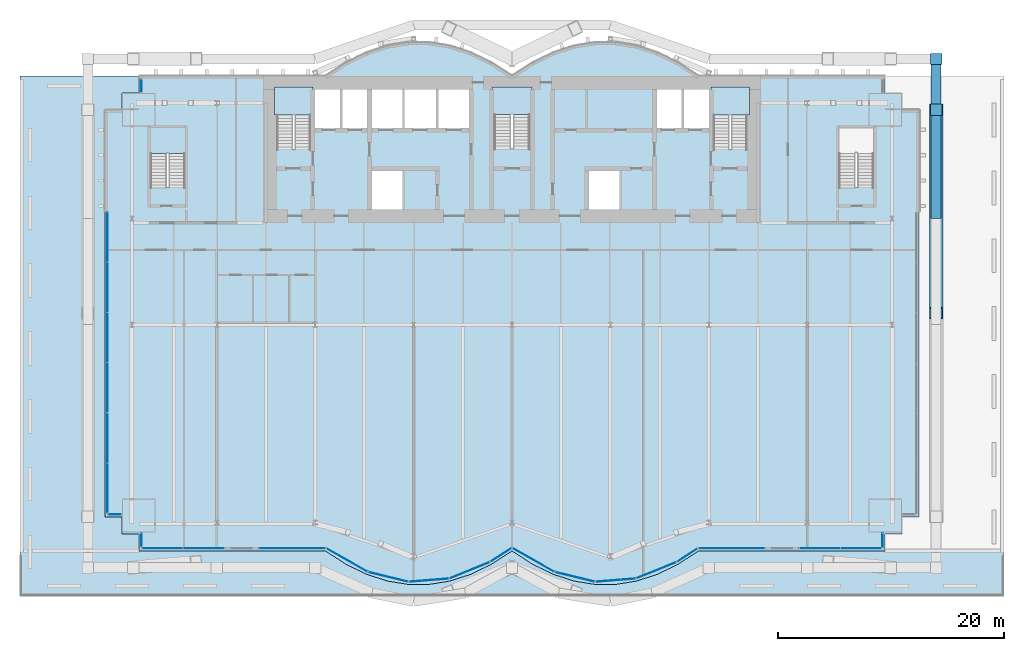
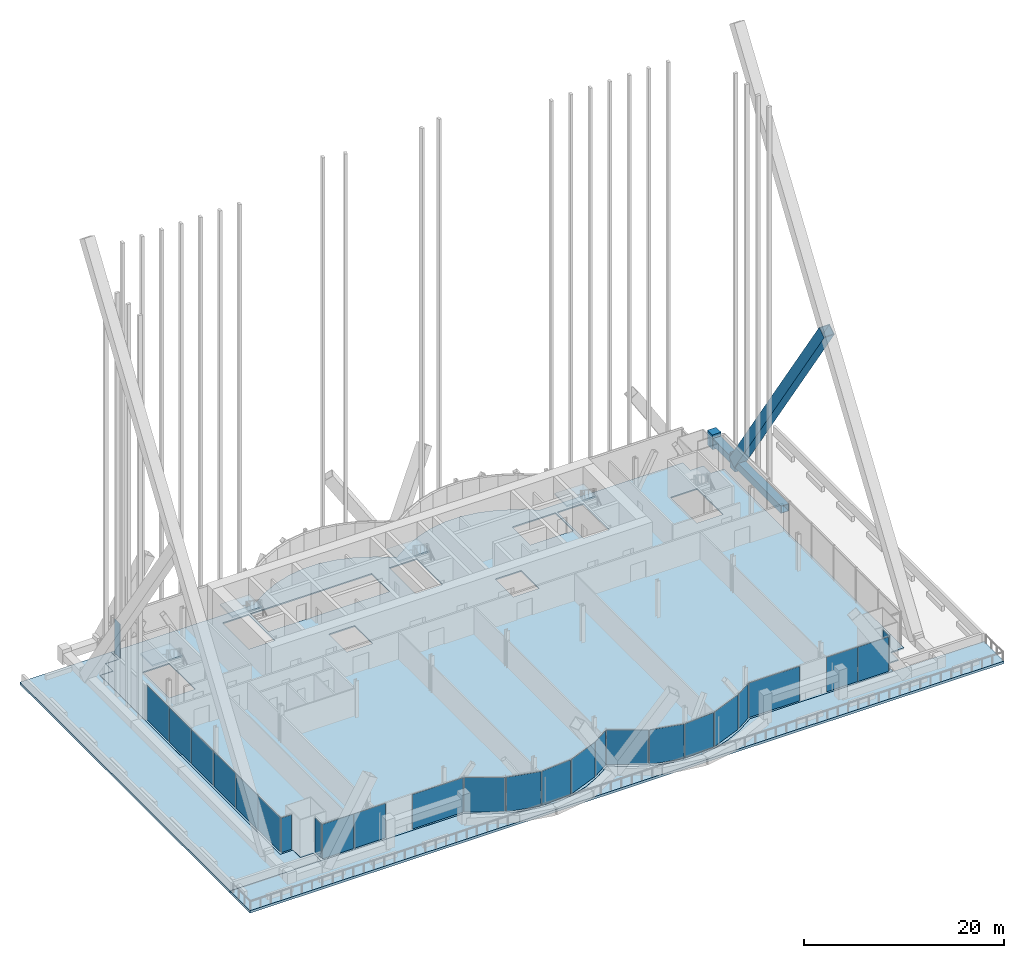
# One storey, part 20 of 29: 26 plates, 7 slabs, 5 members, 15 elements without a shape of their own.
"""IFC4 building model written with IfcOpenShell, lengths in metres."""

from ifc_helpers import new_model, si_unit, direction, frame, origin, origin_2d, place, context, subcontext, project, spatial, polyline, rectangle, hollow_rectangle, outline, extrude, material, layer, layer_set, material_profile, profile_set, type_object, element, aggregate, save


model = new_model("IFC4")

# Units and contexts
model_context = context("Model", 3, precision=1e-05, world=origin(), true_north=direction((0.0, 1.0)))
body_context = subcontext(model_context, "Body", "Model", "MODEL_VIEW")
ifc_project = project(units=[si_unit("LENGTHUNIT", "METRE"), si_unit("AREAUNIT", "SQUARE_METRE"), si_unit("VOLUMEUNIT", "CUBIC_METRE"), si_unit("PLANEANGLEUNIT", "RADIAN"), si_unit("MASSUNIT", "GRAM", prefix="KILO")], contexts=[model_context])

# Site, building, storey
site_placement = place(None, origin())
site = spatial("IfcSite", under=ifc_project, at=site_placement, CompositionType="ELEMENT")
building_placement = place(site_placement, origin())
building = spatial("IfcBuilding", under=site, at=building_placement, Name="Bicima Exchange Tower", CompositionType="ELEMENT")
storey_placement = place(building_placement, frame((0.0, 0.0, 35.0)))
storey = spatial("IfcBuildingStorey", under=building, at=storey_placement, Name="L06", CompositionType="ELEMENT", Elevation=35.0)

# Members
ifc_material_1 = material(Name="Steel ASTM A572 Gr 50", Category="steel")
ifc_material_profile_1 = material_profile(ifc_material_1, hollow_rectangle(XDim=0.89990234375, YDim=0.89990234375, WallThickness=0.050048828125, at=origin_2d()))
ifc_profile_set_1 = profile_set([ifc_material_profile_1], Name="Steel ASTM A572 Gr 50")
member_type_1 = type_object("IfcMemberType", Name="Exo belt ring BOX 900x900x50", PredefinedType="CHORD", material=ifc_profile_set_1)
member_1_placement = place(storey_placement, frame((37.5, -12.60009765625, 0.449951171875), z_axis=(0.0, 1.0, 0.0), x_axis=(-1.0, 0.0, 0.0)))
element("IfcMember", 1, at=member_1_placement, inside=storey, type_object=member_type_1, Name="Exo belt ring", PredefinedType="CHORD", context=body_context, shape_type="SweptSolid", body=[
    extrude(hollow_rectangle(XDim=0.89990234375, YDim=0.89990234375, WallThickness=0.050048828125, at=origin_2d()), origin(), (0.0, 0.0, 1.0), 9.60009765625),
])
member_2_placement = place(storey_placement, frame((37.5, -3.0, 0.449951171875), z_axis=(0.0, 1.0, 0.0), x_axis=(-1.0, 0.0, 0.0)))
element("IfcMember", 2, at=member_2_placement, inside=storey, type_object=member_type_1, Name="Exo belt ring", PredefinedType="CHORD", context=body_context, shape_type="SweptSolid", body=[
    extrude(hollow_rectangle(XDim=0.89990234375, YDim=0.89990234375, WallThickness=0.050048828125, at=origin_2d()), origin(), (0.0, 0.0, 1.0), 4.5),
])
ifc_material_profile_2 = material_profile(ifc_material_1, hollow_rectangle(XDim=1.199951171875, YDim=1.199951171875, WallThickness=0.070068359375, at=origin_2d()))
ifc_profile_set_2 = profile_set([ifc_material_profile_2], Name="Steel ASTM A572 Gr 50")
member_type_2 = type_object("IfcMemberType", Name="Exo mega brace BOX 1200x1200x70", PredefinedType="BRACE", material=ifc_profile_set_2)
member_3_placement = place(storey_placement, frame((37.5, -3.0, 0.449951171875), z_axis=(0.0, -0.557652011783, 0.830074836237), x_axis=(1.0, 0.0, 0.0)))
element("IfcMember", 3, at=member_3_placement, inside=storey, type_object=member_type_2, Name="Exo mega brace end", PredefinedType="BRACE", context=body_context, shape_type="SweptSolid", body=[
    extrude(hollow_rectangle(XDim=1.199951171875, YDim=1.199951171875, WallThickness=0.070068359375, at=origin_2d()), origin(), (0.0, 0.0, 1.0), 32.25634765625),
])
ifc_material_2 = material(Name="Cast steel ASTM A216 Gr WCB", Category="steel")
ifc_material_profile_3 = material_profile(ifc_material_2, rectangle(XDim=1.0, YDim=1.0, at=origin_2d()))
ifc_profile_set_3 = profile_set([ifc_material_profile_3], Name="Cast steel ASTM A216 Gr WCB")
member_type_3 = type_object("IfcMemberType", Name="Exo node block", PredefinedType="POST", material=ifc_profile_set_3)
for number, where, z_axis, x_axis, name in (
    (4, (37.5, -3.0, -0.449951171875), (0.0, 0.0, 1.0), (1.0, 0.0, 0.0), "Exo node block"),
    (5, (37.5, 1.5, -0.449951171875), (0.0, 0.0, 1.0), (1.0, 0.0, 0.0), "Exo node block"),
):
    element("IfcMember", number, at=place(storey_placement, frame(where, z_axis=z_axis, x_axis=x_axis)), inside=storey, type_object=member_type_3, Name=name, PredefinedType="POST", context=body_context, shape_type="SweptSolid", body=[
        extrude(rectangle(XDim=1.0, YDim=1.0, at=origin_2d()), origin(), (0.0, 0.0, 1.0), 1.800048828125),
    ])

# Slab
ifc_material_3 = material(Name="Concrete C40/50", Category="concrete")
ifc_layer_1 = layer(ifc_material_3, 0.14990234375)
ifc_layer_set_1 = layer_set([ifc_layer_1], Name="Concrete C40/50")
slab_type_1 = type_object("IfcSlabType", Name="Composite floor slab 150", PredefinedType="FLOOR", material=ifc_layer_set_1)
slab_1_placement = place(storey_placement, frame((0.0, 0.0, -0.14990234375)))
element("IfcSlab", 6, at=slab_1_placement, inside=storey, type_object=slab_type_1, Name="Floor slab", PredefinedType="FLOOR", context=body_context, shape_type="SweptSolid", body=[
    extrude(outline(polyline([(-36.0, -39.0), (-36.0, -3.0), (-34.5, -3.0), (-34.5, -1.5), (-33.0, -1.5), (-33.0, 0.0), (-16.5, 0.0), (-14.666748046875, 1.185302734375), (-12.833251953125, 2.07421875), (-11.0, 2.666748046875), (-9.166748046875, 2.962890625), (-7.333251953125, 2.962890625), (-5.5, 2.666748046875), (-3.666748046875, 2.07421875), (-1.833251953125, 1.185302734375), (0.0, 0.0), (1.833251953125, 1.185302734375), (3.666748046875, 2.07421875), (5.5, 2.666748046875), (7.333251953125, 2.962890625), (9.166748046875, 2.962890625), (11.0, 2.666748046875), (12.833251953125, 2.07421875), (14.666748046875, 1.185302734375), (16.5, 0.0), (33.0, 0.0), (33.0, -1.5), (34.5, -1.5), (34.5, -3.0), (36.0, -3.0), (36.0, -39.0), (34.5, -39.0), (34.5, -40.5), (33.0, -40.5), (33.0, -42.0), (16.5, -42.0), (14.666748046875, -43.185302734375), (12.833251953125, -44.07421875), (11.0, -44.666748046875), (9.166748046875, -44.962890625), (7.333251953125, -44.962890625), (5.5, -44.666748046875), (3.666748046875, -44.07421875), (1.833251953125, -43.185302734375), (0.0, -42.0), (-1.833251953125, -43.185302734375), (-3.666748046875, -44.07421875), (-5.5, -44.666748046875), (-7.333251953125, -44.962890625), (-9.166748046875, -44.962890625), (-11.0, -44.666748046875), (-12.833251953125, -44.07421875), (-14.666748046875, -43.185302734375), (-16.5, -42.0), (-33.0, -42.0), (-33.0, -40.5), (-34.5, -40.5), (-34.5, -39.0), (-36.0, -39.0)]), holes=[polyline([(-9.60009765625, -11.800048828125), (-9.60009765625, -8.199951171875), (-12.60009765625, -8.199951171875), (-12.60009765625, -11.800048828125), (-9.60009765625, -11.800048828125)]), polyline([(-31.97509765625, -9.824951171875), (-28.925048828125, -9.824951171875), (-28.925048828125, -4.625), (-31.97509765625, -4.625), (-31.97509765625, -9.824951171875)]), polyline([(-20.800048828125, -6.449951171875), (-17.800048828125, -6.449951171875), (-17.800048828125, -1.199951171875), (-20.800048828125, -1.199951171875), (-20.800048828125, -6.449951171875)]), polyline([(-9.60009765625, -1.199951171875), (-12.60009765625, -1.199951171875), (-15.10009765625, -1.199951171875), (-17.60009765625, -1.199951171875), (-17.60009765625, -4.800048828125), (-15.10009765625, -4.800048828125), (-12.60009765625, -4.800048828125), (-9.60009765625, -4.800048828125), (-6.60009765625, -4.800048828125), (-3.60009765625, -4.800048828125), (-3.60009765625, -1.199951171875), (-6.60009765625, -1.199951171875), (-9.60009765625, -1.199951171875)]), polyline([(9.60009765625, -11.800048828125), (9.60009765625, -8.199951171875), (6.60009765625, -8.199951171875), (6.60009765625, -11.800048828125), (9.60009765625, -11.800048828125)]), polyline([(28.925048828125, -9.824951171875), (31.97509765625, -9.824951171875), (31.97509765625, -4.625), (28.925048828125, -4.625), (28.925048828125, -9.824951171875)]), polyline([(17.800048828125, -6.449951171875), (20.800048828125, -6.449951171875), (20.800048828125, -1.199951171875), (17.800048828125, -1.199951171875), (17.800048828125, -6.449951171875)]), polyline([(-1.574951171875, -6.39990234375), (1.574951171875, -6.39990234375), (1.574951171875, -1.199951171875), (-1.574951171875, -1.199951171875), (-1.574951171875, -6.39990234375)]), polyline([(17.60009765625, -4.800048828125), (17.60009765625, -1.199951171875), (15.10009765625, -1.199951171875), (12.60009765625, -1.199951171875), (12.60009765625, -4.800048828125), (15.10009765625, -4.800048828125), (17.60009765625, -4.800048828125)])]), origin(), (0.0, 0.0, 1.0), 0.14990234375),
])

# Curtain wall, plates
ifc_material_4 = material(Name="Anodised bronze aluminium", Category="aluminium")
curtain_wall_type_1 = type_object("IfcCurtainWallType", Name="End face glass wall", PredefinedType="NOTDEFINED", material=ifc_material_4)
curtain_wall_1_placement = place(storey_placement, origin())
curtain_wall_1 = element("IfcCurtainWall", 7, at=curtain_wall_1_placement, inside=storey, type_object=curtain_wall_type_1, Name="End face glass wall L06 run 2", PredefinedType="NOTDEFINED")
ifc_material_5 = material(Name="Bronze tinted glass", Category="glass")
ifc_layer_2 = layer(ifc_material_5, 0.031982421875)
ifc_layer_set_2 = layer_set([ifc_layer_2], Name="Bronze tinted glass")
plate_type_1 = type_object("IfcPlateType", Name="End face glass wall glass panel 32", PredefinedType="CURTAIN_PANEL", material=ifc_layer_set_2)
plate_1_placement = place(storey_placement, frame((-35.77001953125, -14.249267578125, 0.0), z_axis=(0.0, 0.0, 1.0), x_axis=(0.0, -1.0, 0.0)))
plate_1 = element("IfcPlate", 8, at=plate_1_placement, type_object=plate_type_1, Name="End face glass wall panel 1.1", PredefinedType="CURTAIN_PANEL", context=body_context, shape_type="SweptSolid", body=[
    extrude(rectangle(XDim=4.37841796875, YDim=0.031982421875, at=origin_2d()), origin(), (0.0, 0.0, 1.0), 4.2099609375),
])
plate_2_placement = place(storey_placement, frame((-35.77001953125, -18.6875, 0.0), z_axis=(0.0, 0.0, 1.0), x_axis=(0.0, -1.0, 0.0)))
plate_2 = element("IfcPlate", 9, at=plate_2_placement, type_object=plate_type_1, Name="End face glass wall panel 2.1", PredefinedType="CURTAIN_PANEL", context=body_context, shape_type="SweptSolid", body=[
    extrude(rectangle(XDim=4.37841796875, YDim=0.031982421875, at=origin_2d()), origin(), (0.0, 0.0, 1.0), 4.2099609375),
])
plate_3_placement = place(storey_placement, frame((-35.77001953125, -23.125732421875, 0.0), z_axis=(0.0, 0.0, 1.0), x_axis=(0.0, -1.0, 0.0)))
plate_3 = element("IfcPlate", 10, at=plate_3_placement, type_object=plate_type_1, Name="End face glass wall panel 3.1", PredefinedType="CURTAIN_PANEL", context=body_context, shape_type="SweptSolid", body=[
    extrude(rectangle(XDim=4.37841796875, YDim=0.031982421875, at=origin_2d()), origin(), (0.0, 0.0, 1.0), 4.2099609375),
])
plate_4_placement = place(storey_placement, frame((-35.77001953125, -27.564208984375, 0.0), z_axis=(0.0, 0.0, 1.0), x_axis=(0.0, -1.0, 0.0)))
plate_4 = element("IfcPlate", 11, at=plate_4_placement, type_object=plate_type_1, Name="End face glass wall panel 4.1", PredefinedType="CURTAIN_PANEL", context=body_context, shape_type="SweptSolid", body=[
    extrude(rectangle(XDim=4.37841796875, YDim=0.031982421875, at=origin_2d()), origin(), (0.0, 0.0, 1.0), 4.2099609375),
])
plate_5_placement = place(storey_placement, frame((-35.77001953125, -32.00244140625, 0.0), z_axis=(0.0, 0.0, 1.0), x_axis=(0.0, -1.0, 0.0)))
plate_5 = element("IfcPlate", 12, at=plate_5_placement, type_object=plate_type_1, Name="End face glass wall panel 5.1", PredefinedType="CURTAIN_PANEL", context=body_context, shape_type="SweptSolid", body=[
    extrude(rectangle(XDim=4.37841796875, YDim=0.031982421875, at=origin_2d()), origin(), (0.0, 0.0, 1.0), 4.2099609375),
])
ifc_material_6 = material(Name="Bronze anodised aluminium", Category="aluminium")
ifc_layer_3 = layer(ifc_material_6, 0.031982421875)
ifc_layer_set_3 = layer_set([ifc_layer_3], Name="Bronze anodised aluminium")
plate_type_2 = type_object("IfcPlateType", Name="End face glass wall spandrel panel 32", PredefinedType="CURTAIN_PANEL", material=ifc_layer_set_3)
plate_6_placement = place(storey_placement, frame((-35.77001953125, -36.44091796875, 0.0), z_axis=(0.0, 0.0, 1.0), x_axis=(0.0, -1.0, 0.0)))
plate_6 = element("IfcPlate", 13, at=plate_6_placement, type_object=plate_type_2, Name="End face spandrel wall panel 6.1", PredefinedType="CURTAIN_PANEL", context=body_context, shape_type="SweptSolid", body=[
    extrude(rectangle(XDim=4.37841796875, YDim=0.031982421875, at=origin_2d()), origin(), (0.0, 0.0, 1.0), 4.2099609375),
])
aggregate(curtain_wall_1, [plate_1, plate_2, plate_3, plate_4, plate_5, plate_6])

# Curtain wall, plate
curtain_wall_type_2 = type_object("IfcCurtainWallType", Name="Front glass wall", PredefinedType="NOTDEFINED", material=ifc_material_4)
curtain_wall_2_placement = place(storey_placement, origin())
curtain_wall_2 = element("IfcCurtainWall", 14, at=curtain_wall_2_placement, inside=storey, type_object=curtain_wall_type_2, Name="Front glass wall L06 run 1", PredefinedType="NOTDEFINED")
ifc_layer_4 = layer(ifc_material_5, 0.031982421875)
ifc_layer_set_4 = layer_set([ifc_layer_4], Name="Bronze tinted glass")
plate_type_3 = type_object("IfcPlateType", Name="Front glass wall glass panel 32", PredefinedType="CURTAIN_PANEL", material=ifc_layer_set_4)
plate_7_placement = place(storey_placement, frame((-32.77001953125, -0.864990234375, 0.0), z_axis=(0.0, 0.0, 1.0), x_axis=(0.0, -1.0, 0.0)))
plate_7 = element("IfcPlate", 15, at=plate_7_placement, type_object=plate_type_3, Name="Front glass wall panel 1.1", PredefinedType="CURTAIN_PANEL", context=body_context, shape_type="SweptSolid", body=[
    extrude(rectangle(XDim=1.14990234375, YDim=0.031982421875, at=origin_2d()), origin(), (0.0, 0.0, 1.0), 4.2099609375),
])
aggregate(curtain_wall_2, [plate_7])

curtain_wall_3_placement = place(storey_placement, origin())
curtain_wall_3 = element("IfcCurtainWall", 16, at=curtain_wall_3_placement, inside=storey, type_object=curtain_wall_type_2, Name="Front glass wall L06 run 3", PredefinedType="NOTDEFINED")
plate_8_placement = place(storey_placement, frame((-35.135009765625, -38.77001953125, 0.0), z_axis=(0.0, 0.0, 1.0), x_axis=(1.0, 0.0, 0.0)))
plate_8 = element("IfcPlate", 17, at=plate_8_placement, type_object=plate_type_3, Name="Front glass wall panel 1.1", PredefinedType="CURTAIN_PANEL", context=body_context, shape_type="SweptSolid", body=[
    extrude(rectangle(XDim=1.14990234375, YDim=0.031982421875, at=origin_2d()), origin(), (0.0, 0.0, 1.0), 4.2099609375),
])
aggregate(curtain_wall_3, [plate_8])

curtain_wall_4_placement = place(storey_placement, origin())
curtain_wall_4 = element("IfcCurtainWall", 18, at=curtain_wall_4_placement, inside=storey, type_object=curtain_wall_type_2, Name="Front glass wall L06 run 4", PredefinedType="NOTDEFINED")
plate_9_placement = place(storey_placement, frame((-32.77001953125, -41.033935546875, 0.0), z_axis=(0.0, 0.0, 1.0), x_axis=(0.0, -1.0, 0.0)))
plate_9 = element("IfcPlate", 19, at=plate_9_placement, type_object=plate_type_3, Name="Front glass wall panel 1.1", PredefinedType="CURTAIN_PANEL", context=body_context, shape_type="SweptSolid", body=[
    extrude(rectangle(XDim=1.19189453125, YDim=0.031982421875, at=origin_2d()), origin(), (0.0, 0.0, 1.0), 4.2099609375),
])
aggregate(curtain_wall_4, [plate_9])

# Curtain wall, plates
curtain_wall_5_placement = place(storey_placement, origin())
curtain_wall_5 = element("IfcCurtainWall", 20, at=curtain_wall_5_placement, inside=storey, type_object=curtain_wall_type_2, Name="Front glass wall L06 run 6", PredefinedType="NOTDEFINED")
plate_10_placement = place(storey_placement, frame((-14.589599609375, -42.815185546875, 0.0), z_axis=(0.0, 0.0, 1.0), x_axis=(0.869805110681, -0.493395449343, 0.0)))
plate_10 = element("IfcPlate", 21, at=plate_10_placement, type_object=plate_type_3, Name="Front glass wall panel 1.1", PredefinedType="CURTAIN_PANEL", context=body_context, shape_type="SweptSolid", body=[
    extrude(rectangle(XDim=4.1162109375, YDim=0.031982421875, at=origin_2d()), origin(), (0.0, 0.0, 1.0), 4.2099609375),
])
plate_11_placement = place(storey_placement, frame((-10.94775390625, -44.296630859375, 0.0), z_axis=(0.0, 0.0, 1.0), x_axis=(0.971830343553, -0.235681529503, 0.0)))
plate_11 = element("IfcPlate", 22, at=plate_11_placement, type_object=plate_type_3, Name="Front glass wall panel 1.1", PredefinedType="CURTAIN_PANEL", context=body_context, shape_type="SweptSolid", body=[
    extrude(rectangle(XDim=3.583251953125, YDim=0.031982421875, at=origin_2d()), origin(), (0.0, 0.0, 1.0), 4.2099609375),
])
plate_12_placement = place(storey_placement, frame((-7.35107421875, -44.587646484375, 0.0), z_axis=(0.0, 0.0, 1.0), x_axis=(0.99674744821, 0.080588612633, 0.0)))
plate_12 = element("IfcPlate", 23, at=plate_12_placement, type_object=plate_type_3, Name="Front glass wall panel 1.1", PredefinedType="CURTAIN_PANEL", context=body_context, shape_type="SweptSolid", body=[
    extrude(rectangle(XDim=3.486083984375, YDim=0.031982421875, at=origin_2d()), origin(), (0.0, 0.0, 1.0), 4.2099609375),
])

curtain_wall_6_placement = place(storey_placement, origin())
curtain_wall_6 = element("IfcCurtainWall", 24, at=curtain_wall_6_placement, inside=storey, type_object=curtain_wall_type_2, Name="Front glass wall L06 run 11", PredefinedType="NOTDEFINED")
plate_13_placement = place(storey_placement, frame((5.55224609375, -44.296630859375, 0.0), z_axis=(0.0, 0.0, 1.0), x_axis=(0.971830343553, -0.235681529503, 0.0)))
plate_13 = element("IfcPlate", 25, at=plate_13_placement, type_object=plate_type_3, Name="Front glass wall panel 1.1", PredefinedType="CURTAIN_PANEL", context=body_context, shape_type="SweptSolid", body=[
    extrude(rectangle(XDim=3.583251953125, YDim=0.031982421875, at=origin_2d()), origin(), (0.0, 0.0, 1.0), 4.2099609375),
])
plate_14_placement = place(storey_placement, frame((9.14892578125, -44.587646484375, 0.0), z_axis=(0.0, 0.0, 1.0), x_axis=(0.99674744821, 0.080588612633, 0.0)))
plate_14 = element("IfcPlate", 26, at=plate_14_placement, type_object=plate_type_3, Name="Front glass wall panel 1.1", PredefinedType="CURTAIN_PANEL", context=body_context, shape_type="SweptSolid", body=[
    extrude(rectangle(XDim=3.486083984375, YDim=0.031982421875, at=origin_2d()), origin(), (0.0, 0.0, 1.0), 4.2099609375),
])
plate_15_placement = place(storey_placement, frame((12.749755859375, -43.71337890625, 0.0), z_axis=(0.0, 0.0, 1.0), x_axis=(0.92714396679, 0.374705304, 0.0)))
plate_15 = element("IfcPlate", 27, at=plate_15_placement, type_object=plate_type_3, Name="Front glass wall panel 1.1", PredefinedType="CURTAIN_PANEL", context=body_context, shape_type="SweptSolid", body=[
    extrude(rectangle(XDim=3.771240234375, YDim=0.031982421875, at=origin_2d()), origin(), (0.0, 0.0, 1.0), 4.2099609375),
])
plate_16_placement = place(storey_placement, frame((15.492919921875, -42.377197265625, 0.0), z_axis=(0.0, 0.0, 1.0), x_axis=(0.839791413941, 0.542909183079, 0.0)))
plate_16 = element("IfcPlate", 28, at=plate_16_placement, type_object=plate_type_3, Name="Front glass wall panel 1.1", PredefinedType="CURTAIN_PANEL", context=body_context, shape_type="SweptSolid", body=[
    extrude(rectangle(XDim=2.11669921875, YDim=0.031982421875, at=origin_2d()), origin(), (0.0, 0.0, 1.0), 4.2099609375),
])

# Curtain wall, plate
curtain_wall_7_placement = place(storey_placement, origin())
curtain_wall_7 = element("IfcCurtainWall", 29, at=curtain_wall_7_placement, inside=storey, type_object=curtain_wall_type_2, Name="Front glass wall L06 run 17", PredefinedType="NOTDEFINED")
plate_17_placement = place(storey_placement, frame((32.77001953125, -41.073974609375, 0.0), z_axis=(0.0, 0.0, 1.0), x_axis=(0.0, 1.0, 0.0)))
plate_17 = element("IfcPlate", 30, at=plate_17_placement, type_object=plate_type_3, Name="Front glass wall panel 1.1", PredefinedType="CURTAIN_PANEL", context=body_context, shape_type="SweptSolid", body=[
    extrude(rectangle(XDim=1.27197265625, YDim=0.031982421875, at=origin_2d()), origin(), (0.0, 0.0, 1.0), 4.2099609375),
])
aggregate(curtain_wall_7, [plate_17])

curtain_wall_8_placement = place(storey_placement, origin())
curtain_wall_8 = element("IfcCurtainWall", 31, at=curtain_wall_8_placement, inside=storey, type_object=curtain_wall_type_2, Name="Front glass wall L06 run 1.1", PredefinedType="NOTDEFINED")
plate_18_placement = place(storey_placement, frame((-27.257568359375, -41.77001953125, 0.0), z_axis=(0.0, 0.0, 1.0), x_axis=(1.0, 0.0, 0.0)))
plate_18 = element("IfcPlate", 32, at=plate_18_placement, type_object=plate_type_3, Name="Front glass wall panel 2.1", PredefinedType="CURTAIN_PANEL", context=body_context, shape_type="SweptSolid", body=[
    extrude(rectangle(XDim=3.594970703125, YDim=0.031982421875, at=origin_2d()), origin(), (0.0, 0.0, 1.0), 4.2099609375),
])

curtain_wall_9_placement = place(storey_placement, origin())
curtain_wall_9 = element("IfcCurtainWall", 33, at=curtain_wall_9_placement, inside=storey, type_object=curtain_wall_type_2, Name="Front glass wall L06 run 1.2", PredefinedType="NOTDEFINED")
plate_19_placement = place(storey_placement, frame((-19.416015625, -41.77001953125, 0.0), z_axis=(0.0, 0.0, 1.0), x_axis=(1.0, 0.0, 0.0)))
plate_19 = element("IfcPlate", 34, at=plate_19_placement, type_object=plate_type_3, Name="Front glass wall panel 1.1", PredefinedType="CURTAIN_PANEL", context=body_context, shape_type="SweptSolid", body=[
    extrude(rectangle(XDim=5.847900390625, YDim=0.031982421875, at=origin_2d()), origin(), (0.0, 0.0, 1.0), 4.2099609375),
])
aggregate(curtain_wall_9, [plate_19])

curtain_wall_10_placement = place(storey_placement, origin())
curtain_wall_10 = element("IfcCurtainWall", 35, at=curtain_wall_10_placement, inside=storey, type_object=curtain_wall_type_2, Name="Front glass wall L06 run 2.1", PredefinedType="NOTDEFINED")
plate_20_placement = place(storey_placement, frame((19.416015625, -41.77001953125, 0.0), z_axis=(0.0, 0.0, 1.0), x_axis=(1.0, 0.0, 0.0)))
plate_20 = element("IfcPlate", 36, at=plate_20_placement, type_object=plate_type_3, Name="Front glass wall panel 1.1", PredefinedType="CURTAIN_PANEL", context=body_context, shape_type="SweptSolid", body=[
    extrude(rectangle(XDim=5.847900390625, YDim=0.031982421875, at=origin_2d()), origin(), (0.0, 0.0, 1.0), 4.2099609375),
])
aggregate(curtain_wall_10, [plate_20])

curtain_wall_11_placement = place(storey_placement, origin())
curtain_wall_11 = element("IfcCurtainWall", 37, at=curtain_wall_11_placement, inside=storey, type_object=curtain_wall_type_2, Name="Front glass wall L06 run 2.2", PredefinedType="NOTDEFINED")
plate_21_placement = place(storey_placement, frame((27.237548828125, -41.77001953125, 0.0), z_axis=(0.0, 0.0, 1.0), x_axis=(1.0, 0.0, 0.0)))
plate_21 = element("IfcPlate", 38, at=plate_21_placement, type_object=plate_type_3, Name="Front glass wall panel 1.1", PredefinedType="CURTAIN_PANEL", context=body_context, shape_type="SweptSolid", body=[
    extrude(rectangle(XDim=3.554931640625, YDim=0.031982421875, at=origin_2d()), origin(), (0.0, 0.0, 1.0), 4.2099609375),
])

# Plate
ifc_layer_5 = layer(ifc_material_6, 0.031982421875)
ifc_layer_set_5 = layer_set([ifc_layer_5], Name="Bronze anodised aluminium")
plate_type_4 = type_object("IfcPlateType", Name="Front glass wall spandrel panel 32", PredefinedType="CURTAIN_PANEL", material=ifc_layer_set_5)
plate_22_placement = place(storey_placement, frame((-3.750244140625, -43.71337890625, 0.0), z_axis=(0.0, 0.0, 1.0), x_axis=(0.92714396679, 0.374705304, 0.0)))
plate_22 = element("IfcPlate", 39, at=plate_22_placement, type_object=plate_type_4, Name="Front spandrel wall panel 1.1", PredefinedType="CURTAIN_PANEL", context=body_context, shape_type="SweptSolid", body=[
    extrude(rectangle(XDim=3.771240234375, YDim=0.031982421875, at=origin_2d()), origin(), (0.0, 0.0, 1.0), 4.2099609375),
])

plate_23_placement = place(storey_placement, frame((-0.97314453125, -42.355224609375, 0.0), z_axis=(0.0, 0.0, 1.0), x_axis=(0.839798994301, 0.542897457326, 0.0)))
plate_23 = element("IfcPlate", 40, at=plate_23_placement, type_object=plate_type_4, Name="Front spandrel wall panel 1.1", PredefinedType="CURTAIN_PANEL", context=body_context, shape_type="SweptSolid", body=[
    extrude(rectangle(XDim=2.197509765625, YDim=0.031982421875, at=origin_2d()), origin(), (0.0, 0.0, 1.0), 4.2099609375),
])

aggregate(curtain_wall_5, [plate_10, plate_11, plate_12, plate_22, plate_23])

plate_24_placement = place(storey_placement, frame((1.876220703125, -42.793212890625, 0.0), z_axis=(0.0, 0.0, 1.0), x_axis=(0.869274147378, -0.494330311331, 0.0)))
plate_24 = element("IfcPlate", 41, at=plate_24_placement, type_object=plate_type_4, Name="Front spandrel wall panel 1.1", PredefinedType="CURTAIN_PANEL", context=body_context, shape_type="SweptSolid", body=[
    extrude(rectangle(XDim=4.197021484375, YDim=0.031982421875, at=origin_2d()), origin(), (0.0, 0.0, 1.0), 4.2099609375),
])

aggregate(curtain_wall_6, [plate_24, plate_13, plate_14, plate_15, plate_16])

plate_25_placement = place(storey_placement, frame((-30.91259765625, -41.77001953125, 0.0), z_axis=(0.0, 0.0, 1.0), x_axis=(1.0, 0.0, 0.0)))
plate_25 = element("IfcPlate", 42, at=plate_25_placement, type_object=plate_type_4, Name="Front spandrel wall panel 1.1", PredefinedType="CURTAIN_PANEL", context=body_context, shape_type="SweptSolid", body=[
    extrude(rectangle(XDim=3.594970703125, YDim=0.031982421875, at=origin_2d()), origin(), (0.0, 0.0, 1.0), 4.2099609375),
])

aggregate(curtain_wall_8, [plate_25, plate_18])

plate_26_placement = place(storey_placement, frame((30.8525390625, -41.77001953125, 0.0), z_axis=(0.0, 0.0, 1.0), x_axis=(1.0, 0.0, 0.0)))
plate_26 = element("IfcPlate", 43, at=plate_26_placement, type_object=plate_type_4, Name="Front spandrel wall panel 2.1", PredefinedType="CURTAIN_PANEL", context=body_context, shape_type="SweptSolid", body=[
    extrude(rectangle(XDim=3.554931640625, YDim=0.031982421875, at=origin_2d()), origin(), (0.0, 0.0, 1.0), 4.2099609375),
])

aggregate(curtain_wall_11, [plate_21, plate_26])

# Slabs
ifc_layer_6 = layer(ifc_material_3, 0.300048828125)
ifc_layer_set_6 = layer_set([ifc_layer_6], Name="Concrete C40/50")
slab_type_2 = type_object("IfcSlabType", Name="Reinforced concrete podium roof slab 300", PredefinedType="ROOF", material=ifc_layer_set_6)
slab_2_placement = place(storey_placement, frame((0.0, 0.0, -0.300048828125)))
element("IfcSlab", 44, at=slab_2_placement, inside=storey, type_object=slab_type_2, Name="Podium roof slab", PredefinedType="ROOF", context=body_context, shape_type="SweptSolid", body=[
    extrude(outline(polyline([(43.5, -42.0), (33.0029296875, -42.0), (33.0029296875, -42.000244140625), (33.0029296875, -42.00048828125), (33.0029296875, -42.0009765625), (33.002685546875, -42.001220703125), (33.002685546875, -42.00146484375), (33.00244140625, -42.001708984375), (33.002197265625, -42.001953125), (33.002197265625, -42.002197265625), (33.001953125, -42.002197265625), (33.001708984375, -42.00244140625), (33.00146484375, -42.002685546875), (33.001220703125, -42.002685546875), (33.0009765625, -42.0029296875), (33.00048828125, -42.0029296875), (33.000244140625, -42.0029296875), (33.0, -42.0029296875), (16.5009765625, -42.0029296875), (14.668212890625, -43.187744140625), (14.66796875, -43.18798828125), (12.834716796875, -44.076904296875), (12.834228515625, -44.076904296875), (11.0009765625, -44.669677734375), (11.000732421875, -44.669677734375), (11.00048828125, -44.669677734375), (9.167236328125, -44.966064453125), (9.1669921875, -44.966064453125), (9.166748046875, -44.966064453125), (7.333251953125, -44.966064453125), (7.3330078125, -44.966064453125), (7.332763671875, -44.966064453125), (5.49951171875, -44.669677734375), (5.499267578125, -44.669677734375), (5.4990234375, -44.669677734375), (3.665771484375, -44.076904296875), (3.665283203125, -44.076904296875), (1.83203125, -43.18798828125), (1.831787109375, -43.187744140625), (0.0, -42.003662109375), (-1.831787109375, -43.187744140625), (-1.83203125, -43.18798828125), (-3.665283203125, -44.076904296875), (-3.665771484375, -44.076904296875), (-5.4990234375, -44.669677734375), (-5.499267578125, -44.669677734375), (-5.49951171875, -44.669677734375), (-7.332763671875, -44.966064453125), (-7.3330078125, -44.966064453125), (-7.333251953125, -44.966064453125), (-9.166748046875, -44.966064453125), (-9.1669921875, -44.966064453125), (-9.167236328125, -44.966064453125), (-11.00048828125, -44.669677734375), (-11.000732421875, -44.669677734375), (-11.0009765625, -44.669677734375), (-12.834228515625, -44.076904296875), (-12.834716796875, -44.076904296875), (-14.66796875, -43.18798828125), (-14.668212890625, -43.187744140625), (-16.5009765625, -42.0029296875), (-33.0, -42.0029296875), (-33.000244140625, -42.0029296875), (-33.00048828125, -42.0029296875), (-33.0009765625, -42.0029296875), (-33.001220703125, -42.002685546875), (-33.00146484375, -42.002685546875), (-33.001708984375, -42.00244140625), (-33.001953125, -42.002197265625), (-33.002197265625, -42.002197265625), (-33.002197265625, -42.001953125), (-33.00244140625, -42.001708984375), (-33.002685546875, -42.00146484375), (-33.002685546875, -42.001220703125), (-33.0029296875, -42.0009765625), (-33.0029296875, -42.00048828125), (-33.0029296875, -42.000244140625), (-33.0029296875, -42.0), (-43.5, -42.0), (-43.5, -46.0), (43.5, -46.0), (43.5, -42.0)])), origin(), (0.0, 0.0, 1.0), 0.300048828125),
])
slab_3_placement = place(storey_placement, frame((0.0, 0.0, -0.300048828125)))
element("IfcSlab", 45, at=slab_3_placement, inside=storey, type_object=slab_type_2, Name="Planted roof slab", PredefinedType="ROOF", context=body_context, shape_type="SweptSolid", body=[
    extrude(outline(polyline([(-43.5, -42.0), (-33.0029296875, -42.0), (-33.0029296875, -40.5029296875), (-34.5, -40.5029296875), (-34.500244140625, -40.5029296875), (-34.50048828125, -40.5029296875), (-34.5009765625, -40.5029296875), (-34.501220703125, -40.502685546875), (-34.50146484375, -40.502685546875), (-34.501708984375, -40.50244140625), (-34.501953125, -40.502197265625), (-34.502197265625, -40.502197265625), (-34.502197265625, -40.501953125), (-34.50244140625, -40.501708984375), (-34.502685546875, -40.50146484375), (-34.502685546875, -40.501220703125), (-34.5029296875, -40.5009765625), (-34.5029296875, -40.50048828125), (-34.5029296875, -40.500244140625), (-34.5029296875, -40.5), (-34.5029296875, -39.0029296875), (-36.0, -39.0029296875), (-36.000244140625, -39.0029296875), (-36.00048828125, -39.0029296875), (-36.0009765625, -39.0029296875), (-36.001220703125, -39.002685546875), (-36.00146484375, -39.002685546875), (-36.001708984375, -39.00244140625), (-36.001953125, -39.002197265625), (-36.002197265625, -39.002197265625), (-36.002197265625, -39.001953125), (-36.00244140625, -39.001708984375), (-36.002685546875, -39.00146484375), (-36.002685546875, -39.001220703125), (-36.0029296875, -39.0009765625), (-36.0029296875, -39.00048828125), (-36.0029296875, -39.000244140625), (-36.0029296875, -39.0), (-36.0029296875, -3.0), (-36.0029296875, -2.999755859375), (-36.0029296875, -2.99951171875), (-36.0029296875, -2.9990234375), (-36.002685546875, -2.998779296875), (-36.002685546875, -2.99853515625), (-36.00244140625, -2.998291015625), (-36.002197265625, -2.998046875), (-36.002197265625, -2.997802734375), (-36.001953125, -2.997802734375), (-36.001708984375, -2.99755859375), (-36.00146484375, -2.997314453125), (-36.001220703125, -2.997314453125), (-36.0009765625, -2.9970703125), (-36.00048828125, -2.9970703125), (-36.000244140625, -2.9970703125), (-36.0, -2.9970703125), (-34.5029296875, -2.9970703125), (-34.5029296875, -1.5), (-34.5029296875, -1.499755859375), (-34.5029296875, -1.49951171875), (-34.5029296875, -1.4990234375), (-34.502685546875, -1.498779296875), (-34.502685546875, -1.49853515625), (-34.50244140625, -1.498291015625), (-34.502197265625, -1.498046875), (-34.502197265625, -1.497802734375), (-34.501953125, -1.497802734375), (-34.501708984375, -1.49755859375), (-34.50146484375, -1.497314453125), (-34.501220703125, -1.497314453125), (-34.5009765625, -1.4970703125), (-34.50048828125, -1.4970703125), (-34.500244140625, -1.4970703125), (-34.5, -1.4970703125), (-33.0029296875, -1.4970703125), (-33.0029296875, 0.0), (-43.5, 0.0), (-43.5, -42.0)])), origin(), (0.0, 0.0, 1.0), 0.300048828125),
])

# Stair, slab
ifc_material_7 = material(Name="Concrete C50/60", Category="concrete")
stair_type_1 = type_object("IfcStairType", Name="Exit stair", PredefinedType="HALF_TURN_STAIR", material=ifc_material_7)
stair_1_placement = place(storey_placement, origin())
stair_1 = element("IfcStair", 46, at=stair_1_placement, inside=storey, type_object=stair_type_1, Name="L06 West exit stair", PredefinedType="HALF_TURN_STAIR")
ifc_layer_7 = layer(ifc_material_7, 0.199951171875)
ifc_layer_set_7 = layer_set([ifc_layer_7], Name="Concrete C50/60")
slab_type_3 = type_object("IfcSlabType", Name="Stair landing slab", PredefinedType="LANDING", material=ifc_layer_set_7)
slab_4_placement = place(storey_placement, frame((0.0, 0.0, 2.050048828125)))
slab_4 = element("IfcSlab", 47, at=slab_4_placement, type_object=slab_type_3, Name="ST-W landing 1", PredefinedType="LANDING", context=body_context, shape_type="SweptSolid", body=[
    extrude(outline(polyline([(-17.60009765625, -3.469970703125), (-17.60009765625, -1.0), (-21.0, -1.0), (-21.0, -3.469970703125), (-17.60009765625, -3.469970703125)])), origin(), (0.0, 0.0, 1.0), 0.199951171875),
])
aggregate(stair_1, [slab_4])

stair_type_2 = type_object("IfcStairType", Name="Exit stair 1500", PredefinedType="HALF_TURN_STAIR", material=ifc_material_7)
stair_2_placement = place(storey_placement, origin())
stair_2 = element("IfcStair", 48, at=stair_2_placement, inside=storey, type_object=stair_type_2, Name="L06 Central exit stair", PredefinedType="HALF_TURN_STAIR")
slab_5_placement = place(storey_placement, frame((0.0, 0.0, 2.050048828125)))
slab_5 = element("IfcSlab", 49, at=slab_5_placement, type_object=slab_type_3, Name="ST-C landing 1", PredefinedType="LANDING", context=body_context, shape_type="SweptSolid", body=[
    extrude(outline(polyline([(1.77490234375, -3.419921875), (1.77490234375, -1.0), (-1.77490234375, -1.0), (-1.77490234375, -3.419921875), (1.77490234375, -3.419921875)])), origin(), (0.0, 0.0, 1.0), 0.199951171875),
])
aggregate(stair_2, [slab_5])

stair_3_placement = place(storey_placement, origin())
stair_3 = element("IfcStair", 50, at=stair_3_placement, inside=storey, type_object=stair_type_1, Name="L06 East exit stair", PredefinedType="HALF_TURN_STAIR")
slab_6_placement = place(storey_placement, frame((0.0, 0.0, 2.050048828125)))
slab_6 = element("IfcSlab", 51, at=slab_6_placement, type_object=slab_type_3, Name="ST-E landing 1", PredefinedType="LANDING", context=body_context, shape_type="SweptSolid", body=[
    extrude(outline(polyline([(21.0, -3.469970703125), (21.0, -1.0), (17.60009765625, -1.0), (17.60009765625, -3.469970703125), (21.0, -3.469970703125)])), origin(), (0.0, 0.0, 1.0), 0.199951171875),
])
aggregate(stair_3, [slab_6])

stair_4_placement = place(storey_placement, origin())
stair_4 = element("IfcStair", 52, at=stair_4_placement, inside=storey, type_object=stair_type_1, Name="L06 West end exit stair", PredefinedType="HALF_TURN_STAIR")
slab_7_placement = place(storey_placement, frame((0.0, 0.0, 2.050048828125)))
slab_7 = element("IfcSlab", 53, at=slab_7_placement, type_object=slab_type_3, Name="ST-WW landing 1", PredefinedType="LANDING", context=body_context, shape_type="SweptSolid", body=[
    extrude(outline(polyline([(-28.72509765625, -6.844970703125), (-28.72509765625, -4.425048828125), (-32.175048828125, -4.425048828125), (-32.175048828125, -6.844970703125), (-28.72509765625, -6.844970703125)])), origin(), (0.0, 0.0, 1.0), 0.199951171875),
])
aggregate(stair_4, [slab_7])

save(model, "model.ifc")
